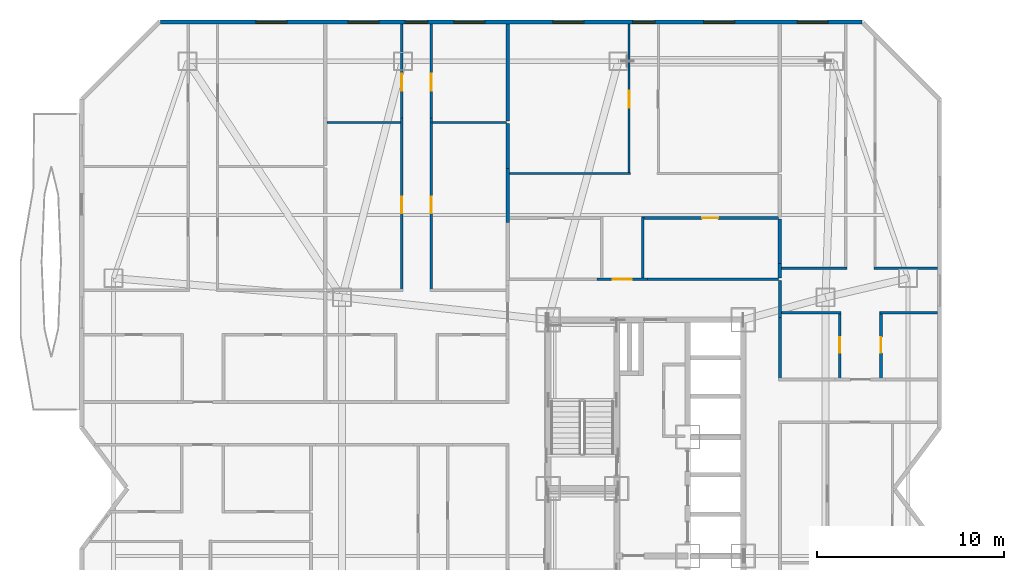
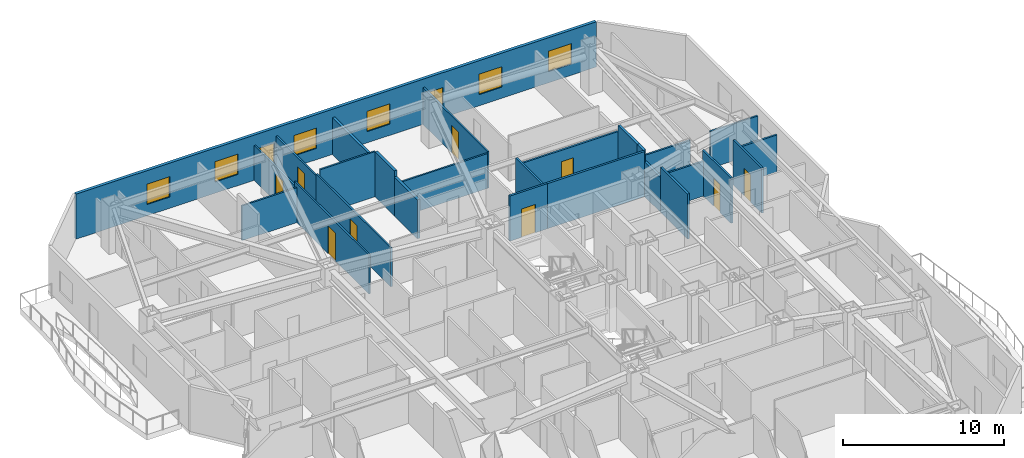
# One storey, part 13 of 16: 26 walls, 9 doors, 8 windows, 17 openings.
"""IFC4 building model written with IfcOpenShell, lengths in metres."""

from ifc_helpers import new_model, si_unit, direction, frame, frame_2d, origin, place, context, subcontext, project, spatial, rectangle, extrude, material, layer, layer_set, type_object, element, fill, save


model = new_model("IFC4")

# Units and contexts
model_context = context("Model", 3, precision=1e-05, world=origin(), true_north=direction((0.0, 1.0)))
body_context = subcontext(model_context, "Body", "Model", "MODEL_VIEW")
ifc_project = project(units=[si_unit("LENGTHUNIT", "METRE"), si_unit("AREAUNIT", "SQUARE_METRE"), si_unit("VOLUMEUNIT", "CUBIC_METRE"), si_unit("PLANEANGLEUNIT", "RADIAN"), si_unit("MASSUNIT", "GRAM", prefix="KILO")], contexts=[model_context])

# Site, building, storey
site_placement = place(None, origin())
site = spatial("IfcSite", under=ifc_project, at=site_placement, CompositionType="ELEMENT")
building_placement = place(site_placement, origin())
building = spatial("IfcBuilding", under=site, at=building_placement, Name="Khamvora Tower", CompositionType="ELEMENT")
storey_placement = place(building_placement, frame((0.0, 0.0, 77.10009765625)))
storey = spatial("IfcBuildingStorey", under=building, at=storey_placement, Name="L19", CompositionType="ELEMENT", Elevation=77.10009765625)

# Wall, opening, door
ifc_material_1 = material(Name="Fire-Rated Drywall and Steel Stud", Category="steel")
ifc_layer_1 = layer(ifc_material_1, 0.14990234375)
ifc_layer_set_1 = layer_set([ifc_layer_1], Name="Fire-Rated Drywall and Steel Stud")
wall_type_1 = type_object("IfcWallType", Name="WAL-CORR-150", PredefinedType="STANDARD", material=ifc_layer_set_1)
wall_1_placement = place(storey_placement, frame((31.60107421875, 39.1650390625, 0.0), z_axis=(0.0, 0.0, 1.0), x_axis=(1.0, 0.0, 0.0)))
wall_1 = element("IfcWall", 1, at=wall_1_placement, inside=storey, type_object=wall_type_1, Name="L19 interior partition wall 026", PredefinedType="STANDARD", context=body_context, shape_type="SweptSolid", body=[
    extrude(rectangle(XDim=2.697998046875, YDim=0.14990234375, at=frame_2d((1.34912109375, 0.0))), origin(), (0.0, 0.0, 1.0), 3.429931640625),
])
opening_1_placement = place(wall_1_placement, frame((0.84912109375, 0.0, 0.0)))
opening_1 = element("IfcOpeningElement", 2, at=opening_1_placement, cuts=wall_1, Name="Opening D-U1", PredefinedType="OPENING", context=body_context, shape_type="SweptSolid", body=[
    extrude(rectangle(XDim=1.0, YDim=2.14990234375, at=frame_2d((0.5, 1.074951171875))), frame((0.0, 0.0849609375, 0.0), z_axis=(0.0, -1.0, 0.0), x_axis=(1.0, 0.0, 0.0)), (0.0, 0.0, 1.0), 0.169921875),
])
ifc_material_2 = material(Name="Powder-Coated Steel and Hardwood Leaf", Category="steel")
door_type_1 = type_object("IfcDoorType", Name="DOR-UNIT-1000", OperationType="NOTDEFINED", PredefinedType="DOOR", material=ifc_material_2)
door_1_placement = place(opening_1_placement, origin())
door_1 = element("IfcDoor", 3, at=door_1_placement, inside=storey, type_object=door_type_1, Name="L19 interior door COR-19NAH", OperationType="SINGLE_SWING_RIGHT", OverallHeight=2.14990234375, OverallWidth=1.0, PredefinedType="DOOR", context=body_context, shape_type="SweptSolid", body=[
    extrude(rectangle(XDim=1.0, YDim=2.14990234375, at=frame_2d((0.5, 1.074951171875))), frame((0.0, 0.02490234375, 0.0), z_axis=(0.0, -1.0, 0.0), x_axis=(1.0, 0.0, 0.0)), (0.0, 0.0, 1.0), 0.050048828125),
])
fill(opening_1, door_1)

# Walls
wall_2_placement = place(storey_placement, frame((34.299072265625, 39.1650390625, 0.0), z_axis=(0.0, 0.0, 1.0), x_axis=(1.0, 0.0, 0.0)))
element("IfcWall", 4, at=wall_2_placement, inside=storey, type_object=wall_type_1, Name="L19 interior partition wall 028", PredefinedType="STANDARD", context=body_context, shape_type="SweptSolid", body=[
    extrude(rectangle(XDim=7.0009765625, YDim=0.14990234375, at=frame_2d((3.50048828125, 0.0))), origin(), (0.0, 0.0, 1.0), 3.429931640625),
])
wall_3_placement = place(storey_placement, frame((41.364990234375, 39.10009765625, 0.0), z_axis=(0.0, 0.0, 1.0), x_axis=(0.0, -1.0, 0.0)))
element("IfcWall", 5, at=wall_3_placement, inside=storey, type_object=wall_type_1, Name="L19 interior partition wall 035", PredefinedType="STANDARD", context=body_context, shape_type="SweptSolid", body=[
    extrude(rectangle(XDim=1.982177734375, YDim=0.14990234375, at=frame_2d((0.9912109375, 0.0))), origin(), (0.0, 0.0, 1.0), 2.64697265625),
])
wall_4_placement = place(storey_placement, frame((41.364990234375, 37.117919921875, 0.0), z_axis=(0.0, 0.0, 1.0), x_axis=(0.0, -1.0, 0.0)))
element("IfcWall", 6, at=wall_4_placement, inside=storey, type_object=wall_type_1, Name="L19 interior partition wall 037", PredefinedType="STANDARD", context=body_context, shape_type="SweptSolid", body=[
    extrude(rectangle(XDim=3.367919921875, YDim=0.14990234375, at=frame_2d((1.68408203125, 0.0))), origin(), (0.0, 0.0, 1.0), 3.429931640625),
])
ifc_material_3 = material(Name="Acoustic Double-Stud Fire Wall", Category="gypsum")
ifc_layer_2 = layer(ifc_material_3, 0.179931640625)
ifc_layer_set_2 = layer_set([ifc_layer_2], Name="Acoustic Double-Stud Fire Wall")
wall_type_2 = type_object("IfcWallType", Name="WAL-CORR-180", PredefinedType="STANDARD", material=ifc_layer_set_2)
wall_5_placement = place(storey_placement, frame((26.8349609375, 45.06298828125, 0.0), z_axis=(0.0, 0.0, 1.0), x_axis=(0.0, -1.0, 0.0)))
element("IfcWall", 7, at=wall_5_placement, inside=storey, type_object=wall_type_2, Name="L19 interior partition wall 109", PredefinedType="STANDARD", context=body_context, shape_type="SweptSolid", body=[
    extrude(rectangle(XDim=2.8779296875, YDim=0.179931640625, at=frame_2d((1.43896484375, 0.0))), origin(), (0.0, 0.0, 1.0), 2.9609375),
])
wall_6_placement = place(storey_placement, frame((26.8349609375, 47.468017578125, 0.0), z_axis=(0.0, 0.0, 1.0), x_axis=(0.0, -1.0, 0.0)))
element("IfcWall", 8, at=wall_6_placement, inside=storey, type_object=wall_type_2, Name="L19 interior partition wall 111", PredefinedType="STANDARD", context=body_context, shape_type="SweptSolid", body=[
    extrude(rectangle(XDim=2.405029296875, YDim=0.179931640625, at=frame_2d((1.20263671875, 0.0))), origin(), (0.0, 0.0, 1.0), 3.429931640625),
])
wall_7_placement = place(storey_placement, frame((26.8349609375, 52.7880859375, 0.0), z_axis=(0.0, 0.0, 1.0), x_axis=(0.0, -1.0, 0.0)))
element("IfcWall", 9, at=wall_7_placement, inside=storey, type_object=wall_type_2, Name="L19 interior partition wall 112", PredefinedType="STANDARD", context=body_context, shape_type="SweptSolid", body=[
    extrude(rectangle(XDim=5.190185546875, YDim=0.179931640625, at=frame_2d((2.59521484375, 0.0))), origin(), (0.0, 0.0, 1.0), 2.802978515625),
])
wall_8_placement = place(storey_placement, frame((41.364990234375, 39.99609375, 0.0), z_axis=(0.0, 0.0, 1.0), x_axis=(0.0, -1.0, 0.0)))
element("IfcWall", 10, at=wall_8_placement, inside=storey, type_object=wall_type_2, Name="L19 interior partition wall 133", PredefinedType="STANDARD", context=body_context, shape_type="SweptSolid", body=[
    extrude(rectangle(XDim=0.76611328125, YDim=0.179931640625, at=frame_2d((0.383056640625, 0.0))), origin(), (0.0, 0.0, 1.0), 3.429931640625),
])
wall_9_placement = place(storey_placement, frame((41.364990234375, 42.368896484375, 0.0), z_axis=(0.0, 0.0, 1.0), x_axis=(0.0, -1.0, 0.0)))
element("IfcWall", 11, at=wall_9_placement, inside=storey, type_object=wall_type_2, Name="L19 interior partition wall 134", PredefinedType="STANDARD", context=body_context, shape_type="SweptSolid", body=[
    extrude(rectangle(XDim=2.372802734375, YDim=0.179931640625, at=frame_2d((1.1865234375, 0.0))), origin(), (0.0, 0.0, 1.0), 3.429931640625),
])

# Wall, openings, windows
ifc_material_4 = material(Name="Precast concrete C40/50", Category="concrete")
ifc_layer_3 = layer(ifc_material_4, 0.219970703125)
ifc_layer_set_3 = layer_set([ifc_layer_3], Name="Precast concrete C40/50")
wall_type_3 = type_object("IfcWallType", Name="WAL-EXT-220", PredefinedType="STANDARD", material=ifc_layer_set_3)
wall_10_placement = place(storey_placement, frame((8.31494140625, 52.889892578125, 0.0), z_axis=(0.0, 0.0, 1.0), x_axis=(1.0, 0.0, 0.0)))
wall_10 = element("IfcWall", 12, at=wall_10_placement, inside=storey, type_object=wall_type_3, Name="L19 exterior facade wall 07.1", PredefinedType="STANDARD", context=body_context, shape_type="SweptSolid", body=[
    extrude(rectangle(XDim=37.43896484375, YDim=0.219970703125, at=frame_2d((18.719482421875, 0.0))), origin(), (0.0, 0.0, 1.0), 3.429931640625),
])
opening_2_placement = place(wall_10_placement, frame((5.093017578125, 0.0, 0.85009765625)))
opening_2 = element("IfcOpeningElement", 13, at=opening_2_placement, cuts=wall_10, Name="Opening WN-06", PredefinedType="OPENING", context=body_context, shape_type="SweptSolid", body=[
    extrude(rectangle(XDim=1.64990234375, YDim=1.550048828125, at=frame_2d((0.824951171875, 0.77490234375))), frame((0.0, 0.119873046875, 0.0), z_axis=(0.0, -1.0, 0.0), x_axis=(1.0, 0.0, 0.0)), (0.0, 0.0, 1.0), 0.239990234375),
])
opening_3_placement = place(wall_10_placement, frame((13.054931640625, 0.0, 0.800048828125)))
opening_3 = element("IfcOpeningElement", 14, at=opening_3_placement, cuts=wall_10, Name="Opening WN-03", PredefinedType="OPENING", context=body_context, shape_type="SweptSolid", body=[
    extrude(rectangle(XDim=1.199951171875, YDim=1.5, at=frame_2d((0.60009765625, 0.75))), frame((0.0, 0.119873046875, 0.0), z_axis=(0.0, -1.0, 0.0), x_axis=(1.0, 0.0, 0.0)), (0.0, 0.0, 1.0), 0.239990234375),
])
opening_4_placement = place(wall_10_placement, frame((10.0048828125, 0.0, 0.85009765625)))
opening_4 = element("IfcOpeningElement", 15, at=opening_4_placement, cuts=wall_10, Name="Opening WN-06", PredefinedType="OPENING", context=body_context, shape_type="SweptSolid", body=[
    extrude(rectangle(XDim=1.64990234375, YDim=1.550048828125, at=frame_2d((0.824951171875, 0.77490234375))), frame((0.0, 0.119873046875, 0.0), z_axis=(0.0, -1.0, 0.0), x_axis=(1.0, 0.0, 0.0)), (0.0, 0.0, 1.0), 0.239990234375),
])
opening_5_placement = place(wall_10_placement, frame((15.655029296875, 0.0, 0.85009765625)))
opening_5 = element("IfcOpeningElement", 16, at=opening_5_placement, cuts=wall_10, Name="Opening WN-06", PredefinedType="OPENING", context=body_context, shape_type="SweptSolid", body=[
    extrude(rectangle(XDim=1.64990234375, YDim=1.550048828125, at=frame_2d((0.824951171875, 0.77490234375))), frame((0.0, 0.119873046875, 0.0), z_axis=(0.0, -1.0, 0.0), x_axis=(1.0, 0.0, 0.0)), (0.0, 0.0, 1.0), 0.239990234375),
])
opening_6_placement = place(wall_10_placement, frame((25.18505859375, 0.0, 0.800048828125)))
opening_6 = element("IfcOpeningElement", 17, at=opening_6_placement, cuts=wall_10, Name="Opening WN-03", PredefinedType="OPENING", context=body_context, shape_type="SweptSolid", body=[
    extrude(rectangle(XDim=1.199951171875, YDim=1.5, at=frame_2d((0.60009765625, 0.75))), frame((0.0, 0.119873046875, 0.0), z_axis=(0.0, -1.0, 0.0), x_axis=(1.0, 0.0, 0.0)), (0.0, 0.0, 1.0), 0.239990234375),
])
opening_7_placement = place(wall_10_placement, frame((20.93505859375, 0.0, 0.85009765625)))
opening_7 = element("IfcOpeningElement", 18, at=opening_7_placement, cuts=wall_10, Name="Opening WN-06", PredefinedType="OPENING", context=body_context, shape_type="SweptSolid", body=[
    extrude(rectangle(XDim=1.64990234375, YDim=1.550048828125, at=frame_2d((0.824951171875, 0.77490234375))), frame((0.0, 0.119873046875, 0.0), z_axis=(0.0, -1.0, 0.0), x_axis=(1.0, 0.0, 0.0)), (0.0, 0.0, 1.0), 0.239990234375),
])
opening_8_placement = place(wall_10_placement, frame((28.985107421875, 0.0, 0.85009765625)))
opening_8 = element("IfcOpeningElement", 19, at=opening_8_placement, cuts=wall_10, Name="Opening WN-06", PredefinedType="OPENING", context=body_context, shape_type="SweptSolid", body=[
    extrude(rectangle(XDim=1.64990234375, YDim=1.550048828125, at=frame_2d((0.824951171875, 0.77490234375))), frame((0.0, 0.119873046875, 0.0), z_axis=(0.0, -1.0, 0.0), x_axis=(1.0, 0.0, 0.0)), (0.0, 0.0, 1.0), 0.239990234375),
])
opening_9_placement = place(wall_10_placement, frame((33.97998046875, 0.0, 0.85009765625)))
opening_9 = element("IfcOpeningElement", 20, at=opening_9_placement, cuts=wall_10, Name="Opening WN-06", PredefinedType="OPENING", context=body_context, shape_type="SweptSolid", body=[
    extrude(rectangle(XDim=1.64990234375, YDim=1.550048828125, at=frame_2d((0.824951171875, 0.77490234375))), frame((0.0, 0.119873046875, 0.0), z_axis=(0.0, -1.0, 0.0), x_axis=(1.0, 0.0, 0.0)), (0.0, 0.0, 1.0), 0.239990234375),
])
ifc_material_5 = material(Name="Low-E Laminated Double Glazing", Category="glass")
window_type_1 = type_object("IfcWindowType", Name="WIN-VIS-1200x1500", PartitioningType="SINGLE_PANEL", PredefinedType="WINDOW", material=ifc_material_5)
window_1_placement = place(opening_3_placement, origin())
window_1 = element("IfcWindow", 21, at=window_1_placement, inside=storey, type_object=window_type_1, Name="L19 vision window 07.1.02", OverallHeight=1.5, OverallWidth=1.199951171875, PartitioningType="SINGLE_PANEL", PredefinedType="WINDOW", context=body_context, shape_type="SweptSolid", body=[
    extrude(rectangle(XDim=1.199951171875, YDim=1.5, at=frame_2d((0.60009765625, 0.75))), frame((0.0, 0.030029296875, 0.0), z_axis=(0.0, -1.0, 0.0), x_axis=(1.0, 0.0, 0.0)), (0.0, 0.0, 1.0), 0.06005859375),
])
fill(opening_3, window_1)
window_2_placement = place(opening_6_placement, origin())
window_2 = element("IfcWindow", 22, at=window_2_placement, inside=storey, type_object=window_type_1, Name="L19 vision window 07.1.05", OverallHeight=1.5, OverallWidth=1.199951171875, PartitioningType="SINGLE_PANEL", PredefinedType="WINDOW", context=body_context, shape_type="SweptSolid", body=[
    extrude(rectangle(XDim=1.199951171875, YDim=1.5, at=frame_2d((0.60009765625, 0.75))), frame((0.0, 0.030029296875, 0.0), z_axis=(0.0, -1.0, 0.0), x_axis=(1.0, 0.0, 0.0)), (0.0, 0.0, 1.0), 0.06005859375),
])
fill(opening_6, window_2)
window_type_2 = type_object("IfcWindowType", Name="WIN-VIS-1650x1550", PartitioningType="SINGLE_PANEL", PredefinedType="WINDOW", material=ifc_material_5)
window_3_placement = place(opening_2_placement, origin())
window_3 = element("IfcWindow", 23, at=window_3_placement, inside=storey, type_object=window_type_2, Name="L19 vision window 07.1.01", OverallHeight=1.550048828125, OverallWidth=1.64990234375, PartitioningType="SINGLE_PANEL", PredefinedType="WINDOW", context=body_context, shape_type="SweptSolid", body=[
    extrude(rectangle(XDim=1.64990234375, YDim=1.550048828125, at=frame_2d((0.824951171875, 0.77490234375))), frame((0.0, 0.030029296875, 0.0), z_axis=(0.0, -1.0, 0.0), x_axis=(1.0, 0.0, 0.0)), (0.0, 0.0, 1.0), 0.06005859375),
])
fill(opening_2, window_3)
window_4_placement = place(opening_4_placement, origin())
window_4 = element("IfcWindow", 24, at=window_4_placement, inside=storey, type_object=window_type_2, Name="L19 vision window 07.1.03", OverallHeight=1.550048828125, OverallWidth=1.64990234375, PartitioningType="SINGLE_PANEL", PredefinedType="WINDOW", context=body_context, shape_type="SweptSolid", body=[
    extrude(rectangle(XDim=1.64990234375, YDim=1.550048828125, at=frame_2d((0.824951171875, 0.77490234375))), frame((0.0, 0.030029296875, 0.0), z_axis=(0.0, -1.0, 0.0), x_axis=(1.0, 0.0, 0.0)), (0.0, 0.0, 1.0), 0.06005859375),
])
fill(opening_4, window_4)
window_5_placement = place(opening_5_placement, origin())
window_5 = element("IfcWindow", 25, at=window_5_placement, inside=storey, type_object=window_type_2, Name="L19 vision window 07.1.04", OverallHeight=1.550048828125, OverallWidth=1.64990234375, PartitioningType="SINGLE_PANEL", PredefinedType="WINDOW", context=body_context, shape_type="SweptSolid", body=[
    extrude(rectangle(XDim=1.64990234375, YDim=1.550048828125, at=frame_2d((0.824951171875, 0.77490234375))), frame((0.0, 0.030029296875, 0.0), z_axis=(0.0, -1.0, 0.0), x_axis=(1.0, 0.0, 0.0)), (0.0, 0.0, 1.0), 0.06005859375),
])
fill(opening_5, window_5)
window_6_placement = place(opening_7_placement, origin())
window_6 = element("IfcWindow", 26, at=window_6_placement, inside=storey, type_object=window_type_2, Name="L19 vision window 07.1.06", OverallHeight=1.550048828125, OverallWidth=1.64990234375, PartitioningType="SINGLE_PANEL", PredefinedType="WINDOW", context=body_context, shape_type="SweptSolid", body=[
    extrude(rectangle(XDim=1.64990234375, YDim=1.550048828125, at=frame_2d((0.824951171875, 0.77490234375))), frame((0.0, 0.030029296875, 0.0), z_axis=(0.0, -1.0, 0.0), x_axis=(1.0, 0.0, 0.0)), (0.0, 0.0, 1.0), 0.06005859375),
])
fill(opening_7, window_6)
window_7_placement = place(opening_8_placement, origin())
window_7 = element("IfcWindow", 27, at=window_7_placement, inside=storey, type_object=window_type_2, Name="L19 vision window 07.1.07", OverallHeight=1.550048828125, OverallWidth=1.64990234375, PartitioningType="SINGLE_PANEL", PredefinedType="WINDOW", context=body_context, shape_type="SweptSolid", body=[
    extrude(rectangle(XDim=1.64990234375, YDim=1.550048828125, at=frame_2d((0.824951171875, 0.77490234375))), frame((0.0, 0.030029296875, 0.0), z_axis=(0.0, -1.0, 0.0), x_axis=(1.0, 0.0, 0.0)), (0.0, 0.0, 1.0), 0.06005859375),
])
fill(opening_8, window_7)
window_8_placement = place(opening_9_placement, origin())
window_8 = element("IfcWindow", 28, at=window_8_placement, inside=storey, type_object=window_type_2, Name="L19 vision window 07.1.08", OverallHeight=1.550048828125, OverallWidth=1.64990234375, PartitioningType="SINGLE_PANEL", PredefinedType="WINDOW", context=body_context, shape_type="SweptSolid", body=[
    extrude(rectangle(XDim=1.64990234375, YDim=1.550048828125, at=frame_2d((0.824951171875, 0.77490234375))), frame((0.0, 0.030029296875, 0.0), z_axis=(0.0, -1.0, 0.0), x_axis=(1.0, 0.0, 0.0)), (0.0, 0.0, 1.0), 0.06005859375),
])
fill(opening_9, window_8)

# Wall, opening, door
ifc_material_6 = material(Name="Gypsum Plasterboard Partition", Category="gypsum")
ifc_layer_4 = layer(ifc_material_6, 0.1201171875)
ifc_layer_set_4 = layer_set([ifc_layer_4], Name="Gypsum Plasterboard Partition")
wall_type_4 = type_object("IfcWallType", Name="WAL-PART-120", PredefinedType="PARTITIONING", material=ifc_layer_set_4)
wall_11_placement = place(storey_placement, frame((21.18505859375, 38.510009765625, 0.0), z_axis=(0.0, 0.0, 1.0), x_axis=(0.0, 1.0, 0.0)))
wall_11 = element("IfcWall", 29, at=wall_11_placement, inside=storey, type_object=wall_type_4, Name="L19 interior partition wall 102", PredefinedType="PARTITIONING", context=body_context, shape_type="SweptSolid", body=[
    extrude(rectangle(XDim=9.27197265625, YDim=0.1201171875, at=frame_2d((4.635986328125, 0.0))), origin(), (0.0, 0.0, 1.0), 2.9609375),
])
opening_10_placement = place(wall_11_placement, frame((4.1650390625, 0.0, 0.0)))
opening_10 = element("IfcOpeningElement", 30, at=opening_10_placement, cuts=wall_11, Name="Opening D-RM1", PredefinedType="OPENING", context=body_context, shape_type="SweptSolid", body=[
    extrude(rectangle(XDim=0.89990234375, YDim=2.10009765625, at=frame_2d((0.449951171875, 1.050048828125))), frame((0.0, 0.070068359375, 0.0), z_axis=(0.0, -1.0, 0.0), x_axis=(1.0, 0.0, 0.0)), (0.0, 0.0, 1.0), 0.14013671875),
])
door_type_2 = type_object("IfcDoorType", Name="DOR-ROOM-900", OperationType="NOTDEFINED", PredefinedType="DOOR", material=ifc_material_2)
door_2_placement = place(opening_10_placement, origin())
door_2 = element("IfcDoor", 31, at=door_2_placement, inside=storey, type_object=door_type_2, Name="L19 interior door 19WCH-19WCR1", OperationType="SINGLE_SWING_RIGHT", OverallHeight=2.10009765625, OverallWidth=0.89990234375, PredefinedType="DOOR", context=body_context, shape_type="SweptSolid", body=[
    extrude(rectangle(XDim=0.89990234375, YDim=2.10009765625, at=frame_2d((0.449951171875, 1.050048828125))), frame((0.0, 0.02490234375, 0.0), z_axis=(0.0, -1.0, 0.0), x_axis=(1.0, 0.0, 0.0)), (0.0, 0.0, 1.0), 0.050048828125),
])
fill(opening_10, door_2)

wall_12_placement = place(storey_placement, frame((21.18505859375, 47.781982421875, 0.0), z_axis=(0.0, 0.0, 1.0), x_axis=(0.0, 1.0, 0.0)))
wall_12 = element("IfcWall", 32, at=wall_12_placement, inside=storey, type_object=wall_type_4, Name="L19 interior partition wall 103", PredefinedType="PARTITIONING", context=body_context, shape_type="SweptSolid", body=[
    extrude(rectangle(XDim=5.006103515625, YDim=0.1201171875, at=frame_2d((2.5029296875, 0.0))), origin(), (0.0, 0.0, 1.0), 2.64697265625),
])
opening_11_placement = place(wall_12_placement, frame((1.44189453125, 0.0, 0.0)))
opening_11 = element("IfcOpeningElement", 33, at=opening_11_placement, cuts=wall_12, Name="Opening D-RM1", PredefinedType="OPENING", context=body_context, shape_type="SweptSolid", body=[
    extrude(rectangle(XDim=0.89990234375, YDim=2.10009765625, at=frame_2d((0.449951171875, 1.050048828125))), frame((0.0, 0.070068359375, 0.0), z_axis=(0.0, -1.0, 0.0), x_axis=(1.0, 0.0, 0.0)), (0.0, 0.0, 1.0), 0.14013671875),
])
door_3_placement = place(opening_11_placement, origin())
door_3 = element("IfcDoor", 34, at=door_3_placement, inside=storey, type_object=door_type_2, Name="L19 interior door 19WCH-19WCR2", OperationType="SINGLE_SWING_LEFT", OverallHeight=2.10009765625, OverallWidth=0.89990234375, PredefinedType="DOOR", context=body_context, shape_type="SweptSolid", body=[
    extrude(rectangle(XDim=0.89990234375, YDim=2.10009765625, at=frame_2d((0.449951171875, 1.050048828125))), frame((0.0, 0.02490234375, 0.0), z_axis=(0.0, -1.0, 0.0), x_axis=(1.0, 0.0, 0.0)), (0.0, 0.0, 1.0), 0.050048828125),
])
fill(opening_11, door_3)

wall_13_placement = place(storey_placement, frame((22.7548828125, 47.781982421875, 0.0), z_axis=(0.0, 0.0, 1.0), x_axis=(0.0, -1.0, 0.0)))
wall_13 = element("IfcWall", 35, at=wall_13_placement, inside=storey, type_object=wall_type_4, Name="L19 interior partition wall 104", PredefinedType="PARTITIONING", context=body_context, shape_type="SweptSolid", body=[
    extrude(rectangle(XDim=9.27197265625, YDim=0.1201171875, at=frame_2d((4.635986328125, 0.0))), origin(), (0.0, 0.0, 1.0), 2.9609375),
])
opening_12_placement = place(wall_13_placement, frame((4.20703125, 0.0, 0.0)))
opening_12 = element("IfcOpeningElement", 36, at=opening_12_placement, cuts=wall_13, Name="Opening D-RM1", PredefinedType="OPENING", context=body_context, shape_type="SweptSolid", body=[
    extrude(rectangle(XDim=0.89990234375, YDim=2.10009765625, at=frame_2d((0.449951171875, 1.050048828125))), frame((0.0, 0.070068359375, 0.0), z_axis=(0.0, -1.0, 0.0), x_axis=(1.0, 0.0, 0.0)), (0.0, 0.0, 1.0), 0.14013671875),
])
door_4_placement = place(opening_12_placement, origin())
door_4 = element("IfcDoor", 37, at=door_4_placement, inside=storey, type_object=door_type_2, Name="L19 interior door 19WCH-19WCR3", OperationType="SINGLE_SWING_LEFT", OverallHeight=2.10009765625, OverallWidth=0.89990234375, PredefinedType="DOOR", context=body_context, shape_type="SweptSolid", body=[
    extrude(rectangle(XDim=0.89990234375, YDim=2.10009765625, at=frame_2d((0.449951171875, 1.050048828125))), frame((0.0, 0.02490234375, 0.0), z_axis=(0.0, -1.0, 0.0), x_axis=(1.0, 0.0, 0.0)), (0.0, 0.0, 1.0), 0.050048828125),
])
fill(opening_12, door_4)

wall_14_placement = place(storey_placement, frame((22.7548828125, 52.7880859375, 0.0), z_axis=(0.0, 0.0, 1.0), x_axis=(0.0, -1.0, 0.0)))
wall_14 = element("IfcWall", 38, at=wall_14_placement, inside=storey, type_object=wall_type_4, Name="L19 interior partition wall 106", PredefinedType="PARTITIONING", context=body_context, shape_type="SweptSolid", body=[
    extrude(rectangle(XDim=5.006103515625, YDim=0.1201171875, at=frame_2d((2.5029296875, 0.0))), origin(), (0.0, 0.0, 1.0), 2.802978515625),
])
opening_13_placement = place(wall_14_placement, frame((2.6640625, 0.0, 0.0)))
opening_13 = element("IfcOpeningElement", 39, at=opening_13_placement, cuts=wall_14, Name="Opening D-RM1", PredefinedType="OPENING", context=body_context, shape_type="SweptSolid", body=[
    extrude(rectangle(XDim=0.89990234375, YDim=2.10009765625, at=frame_2d((0.449951171875, 1.050048828125))), frame((0.0, 0.070068359375, 0.0), z_axis=(0.0, -1.0, 0.0), x_axis=(1.0, 0.0, 0.0)), (0.0, 0.0, 1.0), 0.14013671875),
])
door_5_placement = place(opening_13_placement, origin())
door_5 = element("IfcDoor", 40, at=door_5_placement, inside=storey, type_object=door_type_2, Name="L19 interior door 19WCH-19WCR4", OperationType="SINGLE_SWING_RIGHT", OverallHeight=2.10009765625, OverallWidth=0.89990234375, PredefinedType="DOOR", context=body_context, shape_type="SweptSolid", body=[
    extrude(rectangle(XDim=0.89990234375, YDim=2.10009765625, at=frame_2d((0.449951171875, 1.050048828125))), frame((0.0, 0.02490234375, 0.0), z_axis=(0.0, -1.0, 0.0), x_axis=(1.0, 0.0, 0.0)), (0.0, 0.0, 1.0), 0.050048828125),
])
fill(opening_13, door_5)

# Walls
wall_15_placement = place(storey_placement, frame((17.18701171875, 47.532958984375, 0.0), z_axis=(0.0, 0.0, 1.0), x_axis=(1.0, 0.0, 0.0)))
element("IfcWall", 41, at=wall_15_placement, inside=storey, type_object=wall_type_4, Name="L19 interior partition wall 107", PredefinedType="PARTITIONING", context=body_context, shape_type="SweptSolid", body=[
    extrude(rectangle(XDim=3.944091796875, YDim=0.1201171875, at=frame_2d((1.97216796875, 0.0))), origin(), (0.0, 0.0, 1.0), 2.64697265625),
])
wall_16_placement = place(storey_placement, frame((22.80908203125, 47.532958984375, 0.0), z_axis=(0.0, 0.0, 1.0), x_axis=(1.0, 0.0, 0.0)))
element("IfcWall", 42, at=wall_16_placement, inside=storey, type_object=wall_type_4, Name="L19 interior partition wall 108", PredefinedType="PARTITIONING", context=body_context, shape_type="SweptSolid", body=[
    extrude(rectangle(XDim=3.9609375, YDim=0.1201171875, at=frame_2d((1.98046875, 0.0))), origin(), (0.0, 0.0, 1.0), 3.429931640625),
])
wall_17_placement = place(storey_placement, frame((26.9169921875, 44.81396484375, 0.0), z_axis=(0.0, 0.0, 1.0), x_axis=(1.0, 0.0, 0.0)))
element("IfcWall", 43, at=wall_17_placement, inside=storey, type_object=wall_type_4, Name="L19 interior partition wall 128", PredefinedType="PARTITIONING", context=body_context, shape_type="SweptSolid", body=[
    extrude(rectangle(XDim=6.462890625, YDim=0.1201171875, at=frame_2d((3.2314453125, 0.0))), origin(), (0.0, 0.0, 1.0), 2.64697265625),
])

# Wall, opening, door
wall_18_placement = place(storey_placement, frame((33.31494140625, 44.7490234375, 0.0), z_axis=(0.0, 0.0, 1.0), x_axis=(0.0, 1.0, 0.0)))
wall_18 = element("IfcWall", 44, at=wall_18_placement, inside=storey, type_object=wall_type_4, Name="L19 interior partition wall 129", PredefinedType="PARTITIONING", context=body_context, shape_type="SweptSolid", body=[
    extrude(rectangle(XDim=8.0390625, YDim=0.1201171875, at=frame_2d((4.01953125, 0.0))), origin(), (0.0, 0.0, 1.0), 2.802978515625),
])
opening_14_placement = place(wall_18_placement, frame((3.569091796875, 0.0, 0.0)))
opening_14 = element("IfcOpeningElement", 45, at=opening_14_placement, cuts=wall_18, Name="Opening D-RM1", PredefinedType="OPENING", context=body_context, shape_type="SweptSolid", body=[
    extrude(rectangle(XDim=0.89990234375, YDim=2.10009765625, at=frame_2d((0.449951171875, 1.050048828125))), frame((0.0, 0.070068359375, 0.0), z_axis=(0.0, -1.0, 0.0), x_axis=(1.0, 0.0, 0.0)), (0.0, 0.0, 1.0), 0.14013671875),
])
door_6_placement = place(opening_14_placement, origin())
door_6 = element("IfcDoor", 46, at=door_6_placement, inside=storey, type_object=door_type_2, Name="L19 interior door 19NAH-19NAR1", OperationType="SINGLE_SWING_LEFT", OverallHeight=2.10009765625, OverallWidth=0.89990234375, PredefinedType="DOOR", context=body_context, shape_type="SweptSolid", body=[
    extrude(rectangle(XDim=0.89990234375, YDim=2.10009765625, at=frame_2d((0.449951171875, 1.050048828125))), frame((0.0, 0.02490234375, 0.0), z_axis=(0.0, -1.0, 0.0), x_axis=(1.0, 0.0, 0.0)), (0.0, 0.0, 1.0), 0.050048828125),
])
fill(opening_14, door_6)

# Walls
wall_19_placement = place(storey_placement, frame((41.447021484375, 39.7470703125, 0.0), z_axis=(0.0, 0.0, 1.0), x_axis=(1.0, 0.0, 0.0)))
element("IfcWall", 47, at=wall_19_placement, inside=storey, type_object=wall_type_4, Name="L19 interior partition wall 155", PredefinedType="PARTITIONING", context=body_context, shape_type="SweptSolid", body=[
    extrude(rectangle(XDim=3.492919921875, YDim=0.1201171875, at=frame_2d((1.74658203125, 0.0))), origin(), (0.0, 0.0, 1.0), 2.64697265625),
])
wall_20_placement = place(storey_placement, frame((46.3798828125, 39.7470703125, 0.0), z_axis=(0.0, 0.0, 1.0), x_axis=(1.0, 0.0, 0.0)))
element("IfcWall", 48, at=wall_20_placement, inside=storey, type_object=wall_type_4, Name="L19 interior partition wall 157", PredefinedType="PARTITIONING", context=body_context, shape_type="SweptSolid", body=[
    extrude(rectangle(XDim=3.408203125, YDim=0.1201171875, at=frame_2d((1.7041015625, 0.0))), origin(), (0.0, 0.0, 1.0), 2.802978515625),
])

# Wall, opening, door
ifc_material_7 = material(Name="Moisture-Resistant Plasterboard Partition", Category="gypsum")
ifc_layer_5 = layer(ifc_material_7, 0.135009765625)
ifc_layer_set_5 = layer_set([ifc_layer_5], Name="Moisture-Resistant Plasterboard Partition")
wall_type_5 = type_object("IfcWallType", Name="WAL-WET-135", PredefinedType="PARTITIONING", material=ifc_layer_set_5)
wall_21_placement = place(storey_placement, frame((41.300048828125, 42.43408203125, 0.0), z_axis=(0.0, 0.0, 1.0), x_axis=(-1.0, 0.0, 0.0)))
wall_21 = element("IfcWall", 49, at=wall_21_placement, inside=storey, type_object=wall_type_5, Name="L19 interior partition wall 126", PredefinedType="PARTITIONING", context=body_context, shape_type="SweptSolid", body=[
    extrude(rectangle(XDim=7.31494140625, YDim=0.135009765625, at=frame_2d((3.657470703125, 0.0))), origin(), (0.0, 0.0, 1.0), 2.9609375),
])
opening_15_placement = place(wall_21_placement, frame((3.23291015625, 0.0, 0.0)))
opening_15 = element("IfcOpeningElement", 50, at=opening_15_placement, cuts=wall_21, Name="Opening D-RM2", PredefinedType="OPENING", context=body_context, shape_type="SweptSolid", body=[
    extrude(rectangle(XDim=0.85009765625, YDim=2.10009765625, at=frame_2d((0.425048828125, 1.050048828125))), frame((0.0, 0.077392578125, 0.0), z_axis=(0.0, -1.0, 0.0), x_axis=(1.0, 0.0, 0.0)), (0.0, 0.0, 1.0), 0.155029296875),
])
door_type_3 = type_object("IfcDoorType", Name="DOR-ROOM-850", OperationType="NOTDEFINED", PredefinedType="DOOR", material=ifc_material_2)
door_7_placement = place(opening_15_placement, origin())
door_7 = element("IfcDoor", 51, at=door_7_placement, inside=storey, type_object=door_type_3, Name="L19 interior door 19NAH-19NAK", OperationType="SINGLE_SWING_RIGHT", OverallHeight=2.10009765625, OverallWidth=0.85009765625, PredefinedType="DOOR", context=body_context, shape_type="SweptSolid", body=[
    extrude(rectangle(XDim=0.85009765625, YDim=2.10009765625, at=frame_2d((0.425048828125, 1.050048828125))), frame((0.0, 0.02490234375, 0.0), z_axis=(0.0, -1.0, 0.0), x_axis=(1.0, 0.0, 0.0)), (0.0, 0.0, 1.0), 0.050048828125),
])
fill(opening_15, door_7)

# Wall
wall_22_placement = place(storey_placement, frame((34.050048828125, 42.4990234375, 0.0), z_axis=(0.0, 0.0, 1.0), x_axis=(0.0, -1.0, 0.0)))
element("IfcWall", 52, at=wall_22_placement, inside=storey, type_object=wall_type_5, Name="L19 interior partition wall 127", PredefinedType="PARTITIONING", context=body_context, shape_type="SweptSolid", body=[
    extrude(rectangle(XDim=3.26708984375, YDim=0.135009765625, at=frame_2d((1.633544921875, 0.0))), origin(), (0.0, 0.0, 1.0), 3.429931640625),
])

# Wall, opening, door
wall_23_placement = place(storey_placement, frame((44.56005859375, 33.8798828125, 0.0), z_axis=(0.0, 0.0, 1.0), x_axis=(0.0, 1.0, 0.0)))
wall_23 = element("IfcWall", 53, at=wall_23_placement, inside=storey, type_object=wall_type_5, Name="L19 interior partition wall 151", PredefinedType="PARTITIONING", context=body_context, shape_type="SweptSolid", body=[
    extrude(rectangle(XDim=3.552001953125, YDim=0.135009765625, at=frame_2d((1.77587890625, 0.0))), origin(), (0.0, 0.0, 1.0), 3.429931640625),
])
opening_16_placement = place(wall_23_placement, frame((1.35107421875, 0.0, 0.0)))
opening_16 = element("IfcOpeningElement", 54, at=opening_16_placement, cuts=wall_23, Name="Opening D-WC1", PredefinedType="OPENING", context=body_context, shape_type="SweptSolid", body=[
    extrude(rectangle(XDim=0.85009765625, YDim=2.10009765625, at=frame_2d((0.425048828125, 1.050048828125))), frame((0.0, 0.077392578125, 0.0), z_axis=(0.0, -1.0, 0.0), x_axis=(1.0, 0.0, 0.0)), (0.0, 0.0, 1.0), 0.155029296875),
])
door_type_4 = type_object("IfcDoorType", Name="DOR-WET-850", OperationType="NOTDEFINED", PredefinedType="DOOR", material=ifc_material_2)
door_8_placement = place(opening_16_placement, origin())
door_8 = element("IfcDoor", 55, at=door_8_placement, inside=storey, type_object=door_type_4, Name="L19 interior door 19EBH-19EBB", OperationType="SINGLE_SWING_LEFT", OverallHeight=2.10009765625, OverallWidth=0.85009765625, PredefinedType="DOOR", context=body_context, shape_type="SweptSolid", body=[
    extrude(rectangle(XDim=0.85009765625, YDim=2.10009765625, at=frame_2d((0.425048828125, 1.050048828125))), frame((0.0, 0.02490234375, 0.0), z_axis=(0.0, -1.0, 0.0), x_axis=(1.0, 0.0, 0.0)), (0.0, 0.0, 1.0), 0.050048828125),
])
fill(opening_16, door_8)

# Walls
wall_24_placement = place(storey_placement, frame((44.625, 37.366943359375, 0.0), z_axis=(0.0, 0.0, 1.0), x_axis=(-1.0, 0.0, 0.0)))
element("IfcWall", 56, at=wall_24_placement, inside=storey, type_object=wall_type_5, Name="L19 interior partition wall 152", PredefinedType="PARTITIONING", context=body_context, shape_type="SweptSolid", body=[
    extrude(rectangle(XDim=3.193115234375, YDim=0.135009765625, at=frame_2d((1.5966796875, 0.0))), origin(), (0.0, 0.0, 1.0), 2.64697265625),
])
wall_25_placement = place(storey_placement, frame((49.7880859375, 37.366943359375, 0.0), z_axis=(0.0, 0.0, 1.0), x_axis=(-1.0, 0.0, 0.0)))
element("IfcWall", 57, at=wall_25_placement, inside=storey, type_object=wall_type_5, Name="L19 interior partition wall 153", PredefinedType="PARTITIONING", context=body_context, shape_type="SweptSolid", body=[
    extrude(rectangle(XDim=3.093017578125, YDim=0.135009765625, at=frame_2d((1.54638671875, 0.0))), origin(), (0.0, 0.0, 1.0), 2.802978515625),
])

# Wall, opening, door
wall_26_placement = place(storey_placement, frame((46.760009765625, 37.431884765625, 0.0), z_axis=(0.0, 0.0, 1.0), x_axis=(0.0, -1.0, 0.0)))
wall_26 = element("IfcWall", 58, at=wall_26_placement, inside=storey, type_object=wall_type_5, Name="L19 interior partition wall 154", PredefinedType="PARTITIONING", context=body_context, shape_type="SweptSolid", body=[
    extrude(rectangle(XDim=3.552001953125, YDim=0.135009765625, at=frame_2d((1.77587890625, 0.0))), origin(), (0.0, 0.0, 1.0), 3.429931640625),
])
opening_17_placement = place(wall_26_placement, frame((1.35107421875, 0.0, 0.0)))
opening_17 = element("IfcOpeningElement", 59, at=opening_17_placement, cuts=wall_26, Name="Opening D-RM2", PredefinedType="OPENING", context=body_context, shape_type="SweptSolid", body=[
    extrude(rectangle(XDim=0.85009765625, YDim=2.10009765625, at=frame_2d((0.425048828125, 1.050048828125))), frame((0.0, 0.077392578125, 0.0), z_axis=(0.0, -1.0, 0.0), x_axis=(1.0, 0.0, 0.0)), (0.0, 0.0, 1.0), 0.155029296875),
])
door_9_placement = place(opening_17_placement, origin())
door_9 = element("IfcDoor", 60, at=door_9_placement, inside=storey, type_object=door_type_3, Name="L19 interior door 19EBH-19EBK", OperationType="SINGLE_SWING_RIGHT", OverallHeight=2.10009765625, OverallWidth=0.85009765625, PredefinedType="DOOR", context=body_context, shape_type="SweptSolid", body=[
    extrude(rectangle(XDim=0.85009765625, YDim=2.10009765625, at=frame_2d((0.425048828125, 1.050048828125))), frame((0.0, 0.02490234375, 0.0), z_axis=(0.0, -1.0, 0.0), x_axis=(1.0, 0.0, 0.0)), (0.0, 0.0, 1.0), 0.050048828125),
])
fill(opening_17, door_9)

save(model, "model.ifc")
